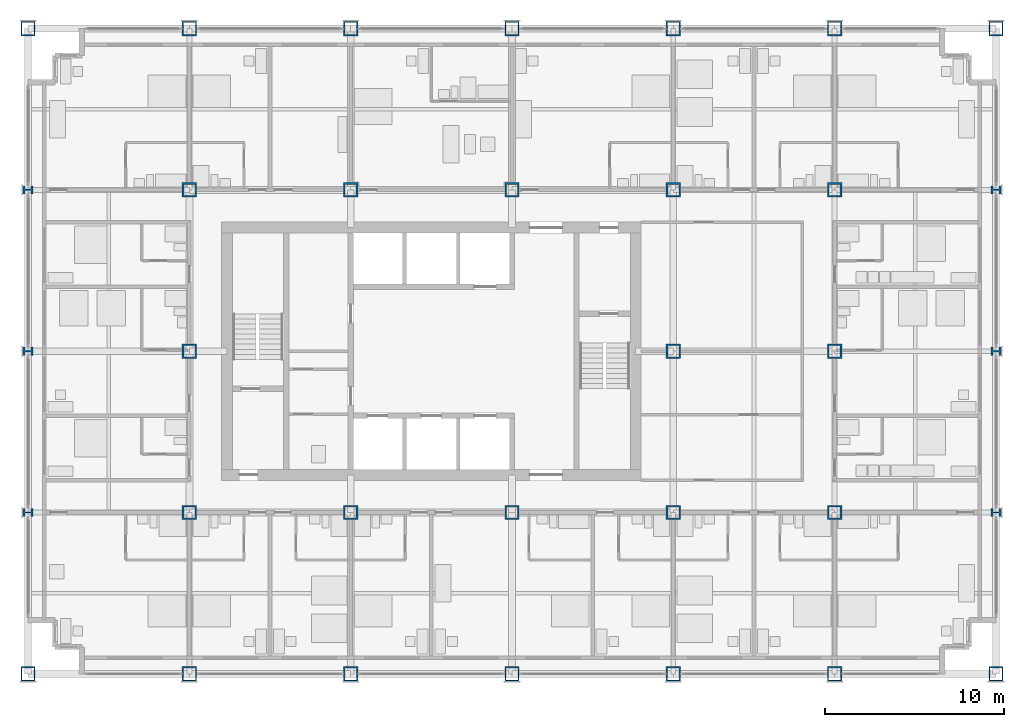
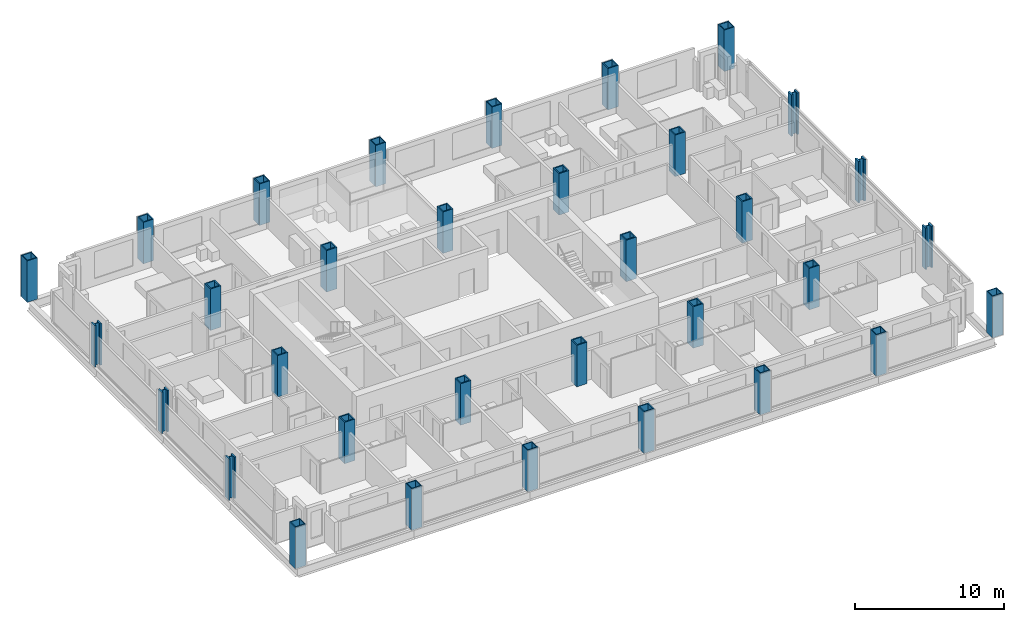
# One storey, part 1 of 18: 33 columns.
"""IFC4 building model written with IfcOpenShell, lengths in metres."""

from ifc_helpers import new_model, si_unit, direction, frame, origin, origin_2d, place, context, subcontext, project, spatial, hollow_rectangle, i_section, extrude, material, material_profile, profile_set, type_object, element, save


model = new_model("IFC4")

# Units and contexts
model_context = context("Model", 3, precision=1e-05, world=origin(), true_north=direction((0.0, 1.0)))
body_context = subcontext(model_context, "Body", "Model", "MODEL_VIEW")
ifc_project = project(units=[si_unit("LENGTHUNIT", "METRE"), si_unit("AREAUNIT", "SQUARE_METRE"), si_unit("VOLUMEUNIT", "CUBIC_METRE"), si_unit("PLANEANGLEUNIT", "RADIAN"), si_unit("MASSUNIT", "GRAM", prefix="KILO")], contexts=[model_context])

# Site, building, storey
site_placement = place(None, origin())
site = spatial("IfcSite", under=ifc_project, at=site_placement, CompositionType="ELEMENT")
building_placement = place(site_placement, origin())
building = spatial("IfcBuilding", under=site, at=building_placement, Name="Loomwork Tower", CompositionType="ELEMENT")
storey_placement = place(building_placement, frame((0.0, 0.0, 82.39990234375)))
storey = spatial("IfcBuildingStorey", under=building, at=storey_placement, Name="L21", CompositionType="ELEMENT", Elevation=82.39990234375)

# Columns
ifc_material_1 = material(Name="Steel ASTM A572 Grade 50 plate", Category="steel")
ifc_material_profile_1 = material_profile(ifc_material_1, hollow_rectangle(XDim=0.800048828125, YDim=0.800048828125, WallThickness=0.070068359375, at=origin_2d()), Name="BOX800x70")
ifc_profile_set_1 = profile_set([ifc_material_profile_1], Name="Steel ASTM A572 Grade 50 plate")
column_type_1 = type_object("IfcColumnType", Name="EXOSKELETON PIER BOX800x70", PredefinedType="COLUMN", material=ifc_profile_set_1)
for number, where, z_axis, x_axis, name in (
    (1, (0.0, 0.0, 0.0), (0.0, 0.0, 1.0), (1.0, 0.0, 0.0), "Exoskeleton Pier D/2 L21"),
    (2, (0.0, 36.0, 0.0), (0.0, 0.0, 1.0), (1.0, 0.0, 0.0), "Exoskeleton Pier H/2 L21"),
    (3, (9.0, 0.0, 0.0), (0.0, 0.0, 1.0), (1.0, 0.0, 0.0), "Exoskeleton Pier D/3 L21"),
    (4, (9.0, 36.0, 0.0), (0.0, 0.0, 1.0), (1.0, 0.0, 0.0), "Exoskeleton Pier H/3 L21"),
    (5, (18.0, 0.0, 0.0), (0.0, 0.0, 1.0), (1.0, 0.0, 0.0), "Exoskeleton Pier D/4 L21"),
    (6, (18.0, 36.0, 0.0), (0.0, 0.0, 1.0), (1.0, 0.0, 0.0), "Exoskeleton Pier H/4 L21"),
    (7, (27.0, 0.0, 0.0), (0.0, 0.0, 1.0), (1.0, 0.0, 0.0), "Exoskeleton Pier D/5 L21"),
    (8, (27.0, 36.0, 0.0), (0.0, 0.0, 1.0), (1.0, 0.0, 0.0), "Exoskeleton Pier H/5 L21"),
    (9, (36.0, 0.0, 0.0), (0.0, 0.0, 1.0), (1.0, 0.0, 0.0), "Exoskeleton Pier D/6 L21"),
    (10, (36.0, 36.0, 0.0), (0.0, 0.0, 1.0), (1.0, 0.0, 0.0), "Exoskeleton Pier H/6 L21"),
    (11, (45.0, 0.0, 0.0), (0.0, 0.0, 1.0), (1.0, 0.0, 0.0), "Exoskeleton Pier D/7 L21"),
    (12, (45.0, 36.0, 0.0), (0.0, 0.0, 1.0), (1.0, 0.0, 0.0), "Exoskeleton Pier H/7 L21"),
    (13, (54.0, 0.0, 0.0), (0.0, 0.0, 1.0), (1.0, 0.0, 0.0), "Exoskeleton Pier D/8 L21"),
    (14, (54.0, 36.0, 0.0), (0.0, 0.0, 1.0), (1.0, 0.0, 0.0), "Exoskeleton Pier H/8 L21"),
):
    element("IfcColumn", number, at=place(storey_placement, frame(where, z_axis=z_axis, x_axis=x_axis)), inside=storey, type_object=column_type_1, Name=name, PredefinedType="COLUMN", context=body_context, shape_type="SweptSolid", body=[
        extrude(hollow_rectangle(XDim=0.800048828125, YDim=0.800048828125, WallThickness=0.070068359375, at=origin_2d()), origin(), (0.0, 0.0, 1.0), 3.400146484375),
    ])
ifc_material_2 = material(Name="Steel ASTM A992", Category="steel")
ifc_material_profile_2 = material_profile(ifc_material_2, i_section(OverallWidth=0.45458984375, OverallDepth=0.56884765625, WebThickness=0.077880859375, FlangeThickness=0.124755859375, at=origin_2d()), Name="W14x730")
ifc_profile_set_2 = profile_set([ifc_material_profile_2], Name="Steel ASTM A992")
column_type_2 = type_object("IfcColumnType", Name="EXOSKELETON PIER W14x730", PredefinedType="COLUMN", material=ifc_profile_set_2)
for number, where, z_axis, x_axis, name in (
    (15, (0.0, 9.0, 0.0), (0.0, 0.0, 1.0), (0.0, 1.0, 0.0), "Exoskeleton Pier E/2 L21"),
    (16, (0.0, 18.0, 0.0), (0.0, 0.0, 1.0), (0.0, 1.0, 0.0), "Exoskeleton Pier F/2 L21"),
    (17, (0.0, 27.0, 0.0), (0.0, 0.0, 1.0), (0.0, 1.0, 0.0), "Exoskeleton Pier G/2 L21"),
    (18, (54.0, 9.0, 0.0), (0.0, 0.0, 1.0), (0.0, 1.0, 0.0), "Exoskeleton Pier E/8 L21"),
    (19, (54.0, 18.0, 0.0), (0.0, 0.0, 1.0), (0.0, 1.0, 0.0), "Exoskeleton Pier F/8 L21"),
    (20, (54.0, 27.0, 0.0), (0.0, 0.0, 1.0), (0.0, 1.0, 0.0), "Exoskeleton Pier G/8 L21"),
):
    element("IfcColumn", number, at=place(storey_placement, frame(where, z_axis=z_axis, x_axis=x_axis)), inside=storey, type_object=column_type_2, Name=name, PredefinedType="COLUMN", context=body_context, shape_type="SweptSolid", body=[
        extrude(i_section(OverallWidth=0.45458984375, OverallDepth=0.56884765625, WebThickness=0.077880859375, FlangeThickness=0.124755859375, at=origin_2d()), origin(), (0.0, 0.0, 1.0), 3.400146484375),
    ])
ifc_material_3 = material(Name="Steel ASTM A572 Grade 50 plate", Category="steel")
ifc_material_profile_3 = material_profile(ifc_material_3, hollow_rectangle(XDim=0.800048828125, YDim=0.800048828125, WallThickness=0.090087890625, at=origin_2d()), Name="BOX800x90")
ifc_profile_set_3 = profile_set([ifc_material_profile_3], Name="Steel ASTM A572 Grade 50 plate")
column_type_3 = type_object("IfcColumnType", Name="TOWER COLUMN BOX800x90", PredefinedType="COLUMN", material=ifc_profile_set_3)
for number, where, z_axis, x_axis, name in (
    (21, (9.0, 9.0, 0.0), (0.0, 0.0, 1.0), (1.0, 0.0, 0.0), "Tower Column E/3 L21"),
    (22, (9.0, 18.0, 0.0), (0.0, 0.0, 1.0), (1.0, 0.0, 0.0), "Tower Column F/3 L21"),
    (23, (9.0, 27.0, 0.0), (0.0, 0.0, 1.0), (1.0, 0.0, 0.0), "Tower Column G/3 L21"),
    (24, (18.0, 9.0, 0.0), (0.0, 0.0, 1.0), (1.0, 0.0, 0.0), "Tower Column E/4 L21"),
    (25, (18.0, 27.0, 0.0), (0.0, 0.0, 1.0), (1.0, 0.0, 0.0), "Tower Column G/4 L21"),
    (26, (27.0, 9.0, 0.0), (0.0, 0.0, 1.0), (1.0, 0.0, 0.0), "Tower Column E/5 L21"),
    (27, (27.0, 27.0, 0.0), (0.0, 0.0, 1.0), (1.0, 0.0, 0.0), "Tower Column G/5 L21"),
    (28, (36.0, 9.0, 0.0), (0.0, 0.0, 1.0), (0.0, 1.0, 0.0), "Tower Column E/6 L21"),
    (29, (36.0, 18.0, 0.0), (0.0, 0.0, 1.0), (0.0, 1.0, 0.0), "Tower Column F/6 L21"),
    (30, (36.0, 27.0, 0.0), (0.0, 0.0, 1.0), (1.0, 0.0, 0.0), "Tower Column G/6 L21"),
    (31, (45.0, 9.0, 0.0), (0.0, 0.0, 1.0), (0.0, 1.0, 0.0), "Tower Column E/7 L21"),
    (32, (45.0, 18.0, 0.0), (0.0, 0.0, 1.0), (0.0, 1.0, 0.0), "Tower Column F/7 L21"),
    (33, (45.0, 27.0, 0.0), (0.0, 0.0, 1.0), (0.0, 1.0, 0.0), "Tower Column G/7 L21"),
):
    element("IfcColumn", number, at=place(storey_placement, frame(where, z_axis=z_axis, x_axis=x_axis)), inside=storey, type_object=column_type_3, Name=name, PredefinedType="COLUMN", context=body_context, shape_type="SweptSolid", body=[
        extrude(hollow_rectangle(XDim=0.800048828125, YDim=0.800048828125, WallThickness=0.090087890625, at=origin_2d()), origin(), (0.0, 0.0, 1.0), 3.400146484375),
    ])

save(model, "model.ifc")
